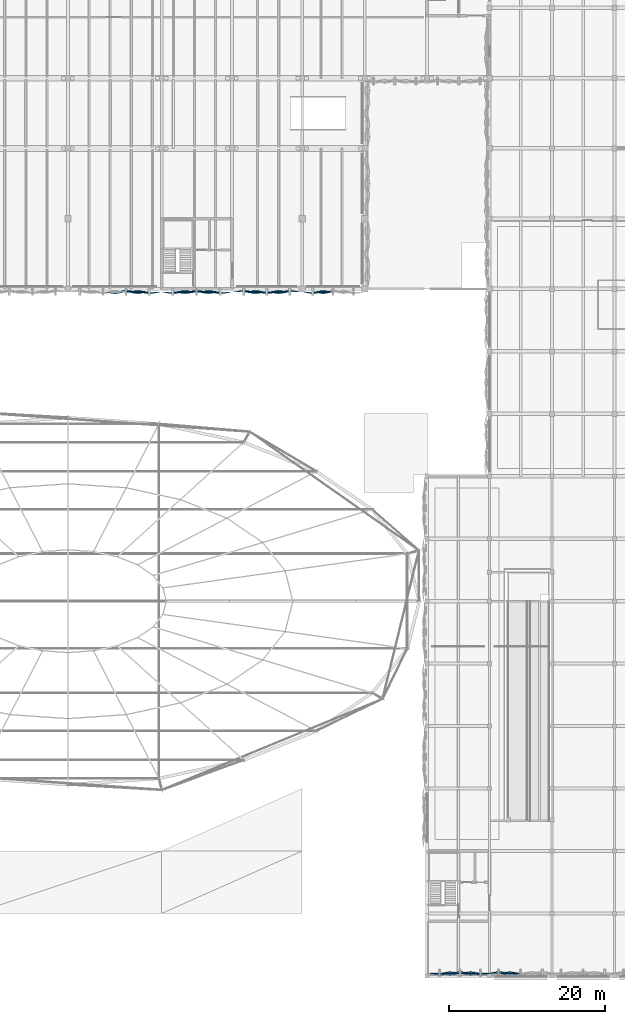
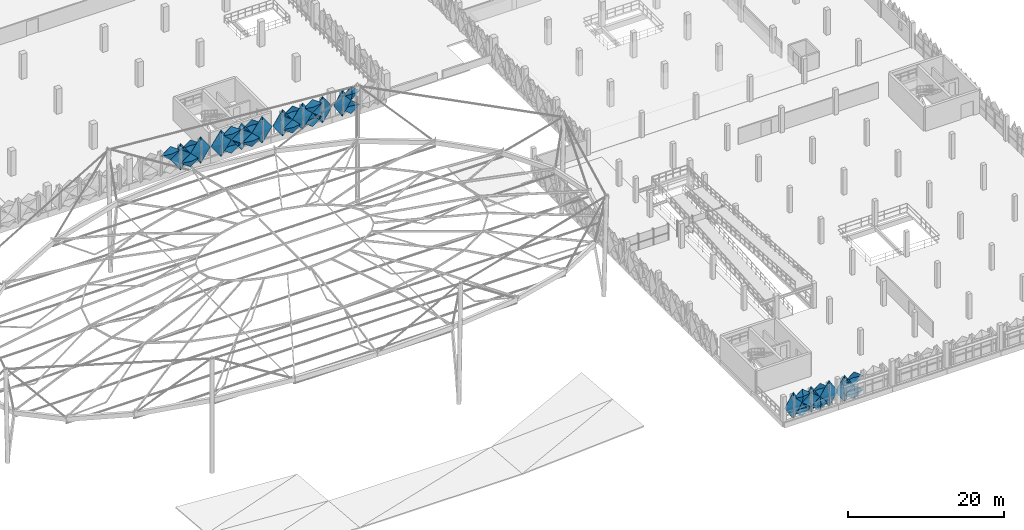
# One storey, part 68 of 96: 32 plates.
"""IFC4 building model written with IfcOpenShell, lengths in metres."""

from ifc_helpers import new_model, si_unit, derived_unit, direction, frame, origin, place, context, subcontext, project, spatial, polygons, material, layer, layer_set, type_object, element, save


model = new_model("IFC4")

# Units and contexts
model_context = context("Model", 3, precision=1e-05, world=origin(), true_north=direction((0.0, 1.0)))
body_context = subcontext(model_context, "Body", "Model", "MODEL_VIEW")
ifc_project = project(units=[si_unit("LENGTHUNIT", "METRE"), si_unit("AREAUNIT", "SQUARE_METRE"), si_unit("VOLUMEUNIT", "CUBIC_METRE"), si_unit("PLANEANGLEUNIT", "RADIAN"), si_unit("MASSUNIT", "GRAM", prefix="KILO"), si_unit("THERMODYNAMICTEMPERATUREUNIT", "KELVIN"), derived_unit("THERMALTRANSMITTANCEUNIT", [(si_unit("POWERUNIT", "WATT"), 1), (si_unit("AREAUNIT", "SQUARE_METRE"), -1), (si_unit("THERMODYNAMICTEMPERATUREUNIT", "KELVIN"), -1)])], contexts=[model_context])

# Site, building, storey
site_placement = place(None, origin())
site = spatial("IfcSite", under=ifc_project, at=site_placement, CompositionType="ELEMENT")
building_placement = place(site_placement, origin())
building = spatial("IfcBuilding", under=site, at=building_placement, Name="Haiyu Intermodal Mobility Hub", CompositionType="ELEMENT")
storey_placement = place(building_placement, frame((0.0, 0.0, 9.5)))
storey = spatial("IfcBuildingStorey", under=building, at=storey_placement, Name="L02", CompositionType="ELEMENT", Elevation=9.5)

# Plates
ifc_material = material(Name="Anodised aluminium 6063-T6", Category="aluminium")
ifc_layer_1 = layer(ifc_material, 0.01806640625)
ifc_layer_set_1 = layer_set([ifc_layer_1], Name="Anodised aluminium 6063-T6")
plate_type_1 = type_object("IfcPlateType", Name="PLT-FC01", PredefinedType="USERDEFINED", material=ifc_layer_set_1)
plate_1_placement = place(storey_placement, origin())
element("IfcPlate", 1, at=plate_1_placement, inside=storey, type_object=plate_type_1, Name="PLT-PYR-1614", ObjectType="FACADE CASSETTE", PredefinedType="USERDEFINED", context=body_context, shape_type="Tessellation", body=[
    polygons([(160.883056640625, 16.320068359375, -0.510009765625), (162.179931640625, 16.320068359375, 1.60009765625), (160.883056640625, 16.320068359375, 3.7099609375), (159.5869140625, 16.320068359375, 1.60009765625), (160.883056640625, 16.0400390625, 1.60009765625), (160.883056640625, 16.342041015625, -0.510009765625), (162.179931640625, 16.342041015625, 1.60009765625), (160.883056640625, 16.342041015625, 3.7099609375), (159.5869140625, 16.342041015625, 1.60009765625), (160.883056640625, 16.06201171875, 1.60009765625)], [[[1, 2, 5]], [[2, 3, 5]], [[3, 4, 5]], [[4, 1, 5]], [[7, 6, 10]], [[8, 7, 10]], [[9, 8, 10]], [[6, 9, 10]], [[1, 6, 7, 2]], [[2, 7, 8, 3]], [[3, 8, 9, 4]], [[4, 9, 6, 1]]], closed=True),
])
plate_2_placement = place(storey_placement, origin())
element("IfcPlate", 2, at=plate_2_placement, inside=storey, type_object=plate_type_1, Name="PLT-PYR-2217", ObjectType="FACADE CASSETTE", PredefinedType="USERDEFINED", context=body_context, shape_type="Tessellation", body=[
    polygons([(127.532958984375, 103.60009765625, -0.510009765625), (129.030029296875, 103.60009765625, 1.60009765625), (127.532958984375, 103.60009765625, 3.7099609375), (126.037109375, 103.60009765625, 1.60009765625), (127.532958984375, 103.320068359375, 1.60009765625), (127.532958984375, 103.6220703125, -0.510009765625), (129.030029296875, 103.6220703125, 1.60009765625), (127.532958984375, 103.6220703125, 3.7099609375), (126.037109375, 103.6220703125, 1.60009765625), (127.532958984375, 103.342041015625, 1.60009765625)], [[[1, 2, 5]], [[2, 3, 5]], [[3, 4, 5]], [[4, 1, 5]], [[7, 6, 10]], [[8, 7, 10]], [[9, 8, 10]], [[6, 9, 10]], [[1, 6, 7, 2]], [[2, 7, 8, 3]], [[3, 8, 9, 4]], [[4, 9, 6, 1]]], closed=True),
])
ifc_layer_2 = layer(ifc_material, 0.02001953125)
ifc_layer_set_2 = layer_set([ifc_layer_2], Name="Anodised aluminium 6063-T6")
plate_type_2 = type_object("IfcPlateType", Name="PLT-FC02", PredefinedType="USERDEFINED", material=ifc_layer_set_2)
plate_3_placement = place(storey_placement, origin())
element("IfcPlate", 3, at=plate_3_placement, inside=storey, type_object=plate_type_2, Name="PLT-PYR-0911", ObjectType="FACADE CASSETTE", PredefinedType="USERDEFINED", context=body_context, shape_type="Tessellation", body=[
    polygons([(115.47998046875, 103.60009765625, -0.510009765625), (116.93994140625, 103.60009765625, 1.60009765625), (115.47998046875, 103.60009765625, 3.7099609375), (114.02001953125, 103.60009765625, 1.60009765625), (115.47998046875, 103.860107421875, 1.60009765625), (115.47998046875, 103.6220703125, -0.510009765625), (116.93994140625, 103.6220703125, 1.60009765625), (115.47998046875, 103.6220703125, 3.7099609375), (114.02001953125, 103.6220703125, 1.60009765625), (115.47998046875, 103.882080078125, 1.60009765625)], [[[1, 2, 5]], [[2, 3, 5]], [[3, 4, 5]], [[4, 1, 5]], [[7, 6, 10]], [[8, 7, 10]], [[9, 8, 10]], [[6, 9, 10]], [[1, 6, 7, 2]], [[2, 7, 8, 3]], [[3, 8, 9, 4]], [[4, 9, 6, 1]]], closed=True),
])
plate_4_placement = place(storey_placement, origin())
element("IfcPlate", 4, at=plate_4_placement, inside=storey, type_object=plate_type_2, Name="PLT-PYR-0958", ObjectType="FACADE CASSETTE", PredefinedType="USERDEFINED", context=body_context, shape_type="Tessellation", body=[
    polygons([(136.447021484375, 103.60009765625, -0.510009765625), (137.89990234375, 103.60009765625, 1.60009765625), (136.447021484375, 103.60009765625, 3.7099609375), (134.992919921875, 103.60009765625, 1.60009765625), (136.447021484375, 103.860107421875, 1.60009765625), (136.447021484375, 103.6220703125, -0.510009765625), (137.89990234375, 103.6220703125, 1.60009765625), (136.447021484375, 103.6220703125, 3.7099609375), (134.992919921875, 103.6220703125, 1.60009765625), (136.447021484375, 103.882080078125, 1.60009765625)], [[[1, 2, 5]], [[2, 3, 5]], [[3, 4, 5]], [[4, 1, 5]], [[7, 6, 10]], [[8, 7, 10]], [[9, 8, 10]], [[6, 9, 10]], [[1, 6, 7, 2]], [[2, 7, 8, 3]], [[3, 8, 9, 4]], [[4, 9, 6, 1]]], closed=True),
])
ifc_layer_3 = layer(ifc_material, 0.01806640625)
ifc_layer_set_3 = layer_set([ifc_layer_3], Name="Anodised aluminium 6063-T6")
plate_type_3 = type_object("IfcPlateType", Name="PLT-FC03", PredefinedType="USERDEFINED", material=ifc_layer_set_3)
plate_5_placement = place(storey_placement, origin())
element("IfcPlate", 5, at=plate_5_placement, inside=storey, type_object=plate_type_3, Name="PLT-PYR-0914", ObjectType="FACADE CASSETTE", PredefinedType="USERDEFINED", context=body_context, shape_type="Tessellation", body=[
    polygons([(118.43994140625, 103.60009765625, -0.510009765625), (119.89990234375, 103.60009765625, 1.60009765625), (118.43994140625, 103.60009765625, 3.7099609375), (116.97998046875, 103.60009765625, 1.60009765625), (118.43994140625, 103.320068359375, 1.60009765625), (118.43994140625, 103.6220703125, -0.510009765625), (119.89990234375, 103.6220703125, 1.60009765625), (118.43994140625, 103.6220703125, 3.7099609375), (116.97998046875, 103.6220703125, 1.60009765625), (118.43994140625, 103.342041015625, 1.60009765625)], [[[1, 2, 5]], [[2, 3, 5]], [[3, 4, 5]], [[4, 1, 5]], [[7, 6, 10]], [[8, 7, 10]], [[9, 8, 10]], [[6, 9, 10]], [[1, 6, 7, 2]], [[2, 7, 8, 3]], [[3, 8, 9, 4]], [[4, 9, 6, 1]]], closed=True),
])
ifc_layer_4 = layer(ifc_material, 0.01806640625)
ifc_layer_set_4 = layer_set([ifc_layer_4], Name="Anodised aluminium 6063-T6")
plate_type_4 = type_object("IfcPlateType", Name="PLT-FC05", PredefinedType="USERDEFINED", material=ifc_layer_set_4)
plate_6_placement = place(storey_placement, origin())
element("IfcPlate", 6, at=plate_6_placement, inside=storey, type_object=plate_type_4, Name="PLT-PYR-0912", ObjectType="FACADE CASSETTE", PredefinedType="USERDEFINED", context=body_context, shape_type="Tessellation", body=[
    polygons([(116.9599609375, 103.60009765625, -0.52001953125), (118.419921875, 103.60009765625, 0.530029296875), (116.9599609375, 103.60009765625, 1.580078125), (115.5, 103.60009765625, 0.530029296875), (116.9599609375, 103.340087890625, 0.530029296875), (116.9599609375, 103.6220703125, -0.52001953125), (118.419921875, 103.6220703125, 0.530029296875), (116.9599609375, 103.6220703125, 1.580078125), (115.5, 103.6220703125, 0.530029296875), (116.9599609375, 103.362060546875, 0.530029296875)], [[[1, 2, 5]], [[2, 3, 5]], [[3, 4, 5]], [[4, 1, 5]], [[7, 6, 10]], [[8, 7, 10]], [[9, 8, 10]], [[6, 9, 10]], [[1, 6, 7, 2]], [[2, 7, 8, 3]], [[3, 8, 9, 4]], [[4, 9, 6, 1]]], closed=True),
])
plate_7_placement = place(storey_placement, origin())
element("IfcPlate", 7, at=plate_7_placement, inside=storey, type_object=plate_type_4, Name="PLT-PYR-0953", ObjectType="FACADE CASSETTE", PredefinedType="USERDEFINED", context=body_context, shape_type="Tessellation", body=[
    polygons([(132.027099609375, 103.60009765625, -0.52001953125), (133.47998046875, 103.60009765625, 0.530029296875), (132.027099609375, 103.60009765625, 1.580078125), (130.572998046875, 103.60009765625, 0.530029296875), (132.027099609375, 103.340087890625, 0.530029296875), (132.027099609375, 103.6220703125, -0.52001953125), (133.47998046875, 103.6220703125, 0.530029296875), (132.027099609375, 103.6220703125, 1.580078125), (130.572998046875, 103.6220703125, 0.530029296875), (132.027099609375, 103.362060546875, 0.530029296875)], [[[1, 2, 5]], [[2, 3, 5]], [[3, 4, 5]], [[4, 1, 5]], [[7, 6, 10]], [[8, 7, 10]], [[9, 8, 10]], [[6, 9, 10]], [[1, 6, 7, 2]], [[2, 7, 8, 3]], [[3, 8, 9, 4]], [[4, 9, 6, 1]]], closed=True),
])
plate_8_placement = place(storey_placement, origin())
element("IfcPlate", 8, at=plate_8_placement, inside=storey, type_object=plate_type_4, Name="PLT-PYR-0987", ObjectType="FACADE CASSETTE", PredefinedType="USERDEFINED", context=body_context, shape_type="Tessellation", body=[
    polygons([(139.386962890625, 103.60009765625, -0.510009765625), (140.673095703125, 103.60009765625, 1.60009765625), (139.386962890625, 103.60009765625, 3.7099609375), (138.10009765625, 103.60009765625, 1.60009765625), (139.386962890625, 103.320068359375, 1.60009765625), (139.386962890625, 103.6220703125, -0.510009765625), (140.673095703125, 103.6220703125, 1.60009765625), (139.386962890625, 103.6220703125, 3.7099609375), (138.10009765625, 103.6220703125, 1.60009765625), (139.386962890625, 103.342041015625, 1.60009765625)], [[[1, 2, 5]], [[2, 3, 5]], [[3, 4, 5]], [[4, 1, 5]], [[7, 6, 10]], [[8, 7, 10]], [[9, 8, 10]], [[6, 9, 10]], [[1, 6, 7, 2]], [[2, 7, 8, 3]], [[3, 8, 9, 4]], [[4, 9, 6, 1]]], closed=True),
])
plate_9_placement = place(storey_placement, origin())
element("IfcPlate", 9, at=plate_9_placement, inside=storey, type_object=plate_type_4, Name="PLT-PYR-1608", ObjectType="FACADE CASSETTE", PredefinedType="USERDEFINED", context=body_context, shape_type="Tessellation", body=[
    polygons([(155.616943359375, 16.320068359375, -0.510009765625), (156.9130859375, 16.320068359375, 1.60009765625), (155.616943359375, 16.320068359375, 3.7099609375), (154.320068359375, 16.320068359375, 1.60009765625), (155.616943359375, 16.0400390625, 1.60009765625), (155.616943359375, 16.342041015625, -0.510009765625), (156.9130859375, 16.342041015625, 1.60009765625), (155.616943359375, 16.342041015625, 3.7099609375), (154.320068359375, 16.342041015625, 1.60009765625), (155.616943359375, 16.06201171875, 1.60009765625)], [[[1, 2, 5]], [[2, 3, 5]], [[3, 4, 5]], [[4, 1, 5]], [[7, 6, 10]], [[8, 7, 10]], [[9, 8, 10]], [[6, 9, 10]], [[1, 6, 7, 2]], [[2, 7, 8, 3]], [[3, 8, 9, 4]], [[4, 9, 6, 1]]], closed=True),
])
plate_10_placement = place(storey_placement, origin())
element("IfcPlate", 10, at=plate_10_placement, inside=storey, type_object=plate_type_4, Name="PLT-PYR-1612", ObjectType="FACADE CASSETTE", PredefinedType="USERDEFINED", context=body_context, shape_type="Tessellation", body=[
    polygons([(159.56689453125, 16.320068359375, -0.52001953125), (160.863037109375, 16.320068359375, 0.530029296875), (159.56689453125, 16.320068359375, 1.580078125), (158.27001953125, 16.320068359375, 0.530029296875), (159.56689453125, 16.06005859375, 0.530029296875), (159.56689453125, 16.342041015625, -0.52001953125), (160.863037109375, 16.342041015625, 0.530029296875), (159.56689453125, 16.342041015625, 1.580078125), (158.27001953125, 16.342041015625, 0.530029296875), (159.56689453125, 16.08203125, 0.530029296875)], [[[1, 2, 5]], [[2, 3, 5]], [[3, 4, 5]], [[4, 1, 5]], [[7, 6, 10]], [[8, 7, 10]], [[9, 8, 10]], [[6, 9, 10]], [[1, 6, 7, 2]], [[2, 7, 8, 3]], [[3, 8, 9, 4]], [[4, 9, 6, 1]]], closed=True),
])
plate_11_placement = place(storey_placement, origin())
element("IfcPlate", 11, at=plate_11_placement, inside=storey, type_object=plate_type_4, Name="PLT-PYR-1616", ObjectType="FACADE CASSETTE", PredefinedType="USERDEFINED", context=body_context, shape_type="Tessellation", body=[
    polygons([(164.60009765625, 16.320068359375, -0.52001953125), (165.97998046875, 16.320068359375, 0.530029296875), (164.60009765625, 16.320068359375, 1.580078125), (163.219970703125, 16.320068359375, 0.530029296875), (164.60009765625, 16.06005859375, 0.530029296875), (164.60009765625, 16.342041015625, -0.52001953125), (165.97998046875, 16.342041015625, 0.530029296875), (164.60009765625, 16.342041015625, 1.580078125), (163.219970703125, 16.342041015625, 0.530029296875), (164.60009765625, 16.08203125, 0.530029296875)], [[[1, 2, 5]], [[2, 3, 5]], [[3, 4, 5]], [[4, 1, 5]], [[7, 6, 10]], [[8, 7, 10]], [[9, 8, 10]], [[6, 9, 10]], [[1, 6, 7, 2]], [[2, 7, 8, 3]], [[3, 8, 9, 4]], [[4, 9, 6, 1]]], closed=True),
])
plate_12_placement = place(storey_placement, origin())
element("IfcPlate", 12, at=plate_12_placement, inside=storey, type_object=plate_type_4, Name="PLT-PYR-2211", ObjectType="FACADE CASSETTE", PredefinedType="USERDEFINED", context=body_context, shape_type="Tessellation", body=[
    polygons([(121.467041015625, 103.60009765625, -0.510009765625), (122.962890625, 103.60009765625, 1.60009765625), (121.467041015625, 103.60009765625, 3.7099609375), (119.969970703125, 103.60009765625, 1.60009765625), (121.467041015625, 103.320068359375, 1.60009765625), (121.467041015625, 103.6220703125, -0.510009765625), (122.962890625, 103.6220703125, 1.60009765625), (121.467041015625, 103.6220703125, 3.7099609375), (119.969970703125, 103.6220703125, 1.60009765625), (121.467041015625, 103.342041015625, 1.60009765625)], [[[1, 2, 5]], [[2, 3, 5]], [[3, 4, 5]], [[4, 1, 5]], [[7, 6, 10]], [[8, 7, 10]], [[9, 8, 10]], [[6, 9, 10]], [[1, 6, 7, 2]], [[2, 7, 8, 3]], [[3, 8, 9, 4]], [[4, 9, 6, 1]]], closed=True),
])
plate_13_placement = place(storey_placement, origin())
element("IfcPlate", 13, at=plate_13_placement, inside=storey, type_object=plate_type_4, Name="PLT-PYR-2215", ObjectType="FACADE CASSETTE", PredefinedType="USERDEFINED", context=body_context, shape_type="Tessellation", body=[
    polygons([(126.01708984375, 103.60009765625, -0.52001953125), (127.512939453125, 103.60009765625, 0.530029296875), (126.01708984375, 103.60009765625, 1.580078125), (124.52001953125, 103.60009765625, 0.530029296875), (126.01708984375, 103.340087890625, 0.530029296875), (126.01708984375, 103.6220703125, -0.52001953125), (127.512939453125, 103.6220703125, 0.530029296875), (126.01708984375, 103.6220703125, 1.580078125), (124.52001953125, 103.6220703125, 0.530029296875), (126.01708984375, 103.362060546875, 0.530029296875)], [[[1, 2, 5]], [[2, 3, 5]], [[3, 4, 5]], [[4, 1, 5]], [[7, 6, 10]], [[8, 7, 10]], [[9, 8, 10]], [[6, 9, 10]], [[1, 6, 7, 2]], [[2, 7, 8, 3]], [[3, 8, 9, 4]], [[4, 9, 6, 1]]], closed=True),
])
ifc_layer_5 = layer(ifc_material, 0.02001953125)
ifc_layer_set_5 = layer_set([ifc_layer_5], Name="Anodised aluminium 6063-T6")
plate_type_5 = type_object("IfcPlateType", Name="PLT-FC06", PredefinedType="USERDEFINED", material=ifc_layer_set_5)
plate_14_placement = place(storey_placement, origin())
element("IfcPlate", 14, at=plate_14_placement, inside=storey, type_object=plate_type_5, Name="PLT-PYR-0952", ObjectType="FACADE CASSETTE", PredefinedType="USERDEFINED", context=body_context, shape_type="Tessellation", body=[
    polygons([(130.552978515625, 103.60009765625, -0.510009765625), (132.007080078125, 103.60009765625, 1.60009765625), (130.552978515625, 103.60009765625, 3.7099609375), (129.10009765625, 103.60009765625, 1.60009765625), (130.552978515625, 103.860107421875, 1.60009765625), (130.552978515625, 103.6220703125, -0.510009765625), (132.007080078125, 103.6220703125, 1.60009765625), (130.552978515625, 103.6220703125, 3.7099609375), (129.10009765625, 103.6220703125, 1.60009765625), (130.552978515625, 103.882080078125, 1.60009765625)], [[[1, 2, 5]], [[2, 3, 5]], [[3, 4, 5]], [[4, 1, 5]], [[7, 6, 10]], [[8, 7, 10]], [[9, 8, 10]], [[6, 9, 10]], [[1, 6, 7, 2]], [[2, 7, 8, 3]], [[3, 8, 9, 4]], [[4, 9, 6, 1]]], closed=True),
])
plate_15_placement = place(storey_placement, origin())
element("IfcPlate", 15, at=plate_15_placement, inside=storey, type_object=plate_type_5, Name="PLT-PYR-0956", ObjectType="FACADE CASSETTE", PredefinedType="USERDEFINED", context=body_context, shape_type="Tessellation", body=[
    polygons([(134.972900390625, 103.60009765625, -0.52001953125), (136.427001953125, 103.60009765625, 0.530029296875), (134.972900390625, 103.60009765625, 1.580078125), (133.52001953125, 103.60009765625, 0.530029296875), (134.972900390625, 103.820068359375, 0.530029296875), (134.972900390625, 103.6220703125, -0.52001953125), (136.427001953125, 103.6220703125, 0.530029296875), (134.972900390625, 103.6220703125, 1.580078125), (133.52001953125, 103.6220703125, 0.530029296875), (134.972900390625, 103.842041015625, 0.530029296875)], [[[1, 2, 5]], [[2, 3, 5]], [[3, 4, 5]], [[4, 1, 5]], [[7, 6, 10]], [[8, 7, 10]], [[9, 8, 10]], [[6, 9, 10]], [[1, 6, 7, 2]], [[2, 7, 8, 3]], [[3, 8, 9, 4]], [[4, 9, 6, 1]]], closed=True),
])
plate_16_placement = place(storey_placement, origin())
element("IfcPlate", 16, at=plate_16_placement, inside=storey, type_object=plate_type_5, Name="PLT-PYR-0988", ObjectType="FACADE CASSETTE", PredefinedType="USERDEFINED", context=body_context, shape_type="Tessellation", body=[
    polygons([(140.693115234375, 103.60009765625, -0.52001953125), (141.97998046875, 103.60009765625, 0.530029296875), (140.693115234375, 103.60009765625, 1.580078125), (139.406982421875, 103.60009765625, 0.530029296875), (140.693115234375, 103.820068359375, 0.530029296875), (140.693115234375, 103.6220703125, -0.52001953125), (141.97998046875, 103.6220703125, 0.530029296875), (140.693115234375, 103.6220703125, 1.580078125), (139.406982421875, 103.6220703125, 0.530029296875), (140.693115234375, 103.842041015625, 0.530029296875)], [[[1, 2, 5]], [[2, 3, 5]], [[3, 4, 5]], [[4, 1, 5]], [[7, 6, 10]], [[8, 7, 10]], [[9, 8, 10]], [[6, 9, 10]], [[1, 6, 7, 2]], [[2, 7, 8, 3]], [[3, 8, 9, 4]], [[4, 9, 6, 1]]], closed=True),
])
plate_17_placement = place(storey_placement, origin())
element("IfcPlate", 17, at=plate_17_placement, inside=storey, type_object=plate_type_5, Name="PLT-PYR-1609", ObjectType="FACADE CASSETTE", PredefinedType="USERDEFINED", context=body_context, shape_type="Tessellation", body=[
    polygons([(156.93310546875, 16.320068359375, -0.52001953125), (158.22998046875, 16.320068359375, 0.530029296875), (156.93310546875, 16.320068359375, 1.580078125), (155.636962890625, 16.320068359375, 0.530029296875), (156.93310546875, 16.5400390625, 0.530029296875), (156.93310546875, 16.342041015625, -0.52001953125), (158.22998046875, 16.342041015625, 0.530029296875), (156.93310546875, 16.342041015625, 1.580078125), (155.636962890625, 16.342041015625, 0.530029296875), (156.93310546875, 16.56201171875, 0.530029296875)], [[[1, 2, 5]], [[2, 3, 5]], [[3, 4, 5]], [[4, 1, 5]], [[7, 6, 10]], [[8, 7, 10]], [[9, 8, 10]], [[6, 9, 10]], [[1, 6, 7, 2]], [[2, 7, 8, 3]], [[3, 8, 9, 4]], [[4, 9, 6, 1]]], closed=True),
])
plate_18_placement = place(storey_placement, origin())
element("IfcPlate", 18, at=plate_18_placement, inside=storey, type_object=plate_type_5, Name="PLT-PYR-1615", ObjectType="FACADE CASSETTE", PredefinedType="USERDEFINED", context=body_context, shape_type="Tessellation", body=[
    polygons([(163.199951171875, 16.320068359375, -0.510009765625), (164.580078125, 16.320068359375, 1.60009765625), (163.199951171875, 16.320068359375, 3.7099609375), (161.820068359375, 16.320068359375, 1.60009765625), (163.199951171875, 16.580078125, 1.60009765625), (163.199951171875, 16.342041015625, -0.510009765625), (164.580078125, 16.342041015625, 1.60009765625), (163.199951171875, 16.342041015625, 3.7099609375), (161.820068359375, 16.342041015625, 1.60009765625), (163.199951171875, 16.60205078125, 1.60009765625)], [[[1, 2, 5]], [[2, 3, 5]], [[3, 4, 5]], [[4, 1, 5]], [[7, 6, 10]], [[8, 7, 10]], [[9, 8, 10]], [[6, 9, 10]], [[1, 6, 7, 2]], [[2, 7, 8, 3]], [[3, 8, 9, 4]], [[4, 9, 6, 1]]], closed=True),
])
plate_19_placement = place(storey_placement, origin())
element("IfcPlate", 19, at=plate_19_placement, inside=storey, type_object=plate_type_5, Name="PLT-PYR-2212", ObjectType="FACADE CASSETTE", PredefinedType="USERDEFINED", context=body_context, shape_type="Tessellation", body=[
    polygons([(122.98291015625, 103.60009765625, -0.52001953125), (124.47998046875, 103.60009765625, 0.530029296875), (122.98291015625, 103.60009765625, 1.580078125), (121.487060546875, 103.60009765625, 0.530029296875), (122.98291015625, 103.820068359375, 0.530029296875), (122.98291015625, 103.6220703125, -0.52001953125), (124.47998046875, 103.6220703125, 0.530029296875), (122.98291015625, 103.6220703125, 1.580078125), (121.487060546875, 103.6220703125, 0.530029296875), (122.98291015625, 103.842041015625, 0.530029296875)], [[[1, 2, 5]], [[2, 3, 5]], [[3, 4, 5]], [[4, 1, 5]], [[7, 6, 10]], [[8, 7, 10]], [[9, 8, 10]], [[6, 9, 10]], [[1, 6, 7, 2]], [[2, 7, 8, 3]], [[3, 8, 9, 4]], [[4, 9, 6, 1]]], closed=True),
])
ifc_layer_6 = layer(ifc_material, 0.02197265625)
ifc_layer_set_6 = layer_set([ifc_layer_6], Name="Anodised aluminium 6063-T6")
plate_type_6 = type_object("IfcPlateType", Name="PLT-FC07", PredefinedType="USERDEFINED", material=ifc_layer_set_6)
plate_20_placement = place(storey_placement, origin())
element("IfcPlate", 20, at=plate_20_placement, inside=storey, type_object=plate_type_6, Name="PLT-PYR-0910", ObjectType="FACADE CASSETTE", PredefinedType="USERDEFINED", context=body_context, shape_type="Tessellation", body=[
    polygons([(114.0, 103.60009765625, 1.6201171875), (115.4599609375, 103.60009765625, 2.669921875), (114.0, 103.60009765625, 3.719970703125), (112.5400390625, 103.60009765625, 2.669921875), (114.0, 103.340087890625, 2.669921875), (114.0, 103.6220703125, 1.6201171875), (115.4599609375, 103.6220703125, 2.669921875), (114.0, 103.6220703125, 3.719970703125), (112.5400390625, 103.6220703125, 2.669921875), (114.0, 103.362060546875, 2.669921875)], [[[1, 2, 5]], [[2, 3, 5]], [[3, 4, 5]], [[4, 1, 5]], [[7, 6, 10]], [[8, 7, 10]], [[9, 8, 10]], [[6, 9, 10]], [[1, 6, 7, 2]], [[2, 7, 8, 3]], [[3, 8, 9, 4]], [[4, 9, 6, 1]]], closed=True),
])
plate_21_placement = place(storey_placement, origin())
element("IfcPlate", 21, at=plate_21_placement, inside=storey, type_object=plate_type_6, Name="PLT-PYR-0955", ObjectType="FACADE CASSETTE", PredefinedType="USERDEFINED", context=body_context, shape_type="Tessellation", body=[
    polygons([(133.5, 103.60009765625, -0.510009765625), (134.952880859375, 103.60009765625, 1.60009765625), (133.5, 103.60009765625, 3.7099609375), (132.047119140625, 103.60009765625, 1.60009765625), (133.5, 103.320068359375, 1.60009765625), (133.5, 103.6220703125, -0.510009765625), (134.952880859375, 103.6220703125, 1.60009765625), (133.5, 103.6220703125, 3.7099609375), (132.047119140625, 103.6220703125, 1.60009765625), (133.5, 103.342041015625, 1.60009765625)], [[[1, 2, 5]], [[2, 3, 5]], [[3, 4, 5]], [[4, 1, 5]], [[7, 6, 10]], [[8, 7, 10]], [[9, 8, 10]], [[6, 9, 10]], [[1, 6, 7, 2]], [[2, 7, 8, 3]], [[3, 8, 9, 4]], [[4, 9, 6, 1]]], closed=True),
])
plate_22_placement = place(storey_placement, origin())
element("IfcPlate", 22, at=plate_22_placement, inside=storey, type_object=plate_type_6, Name="PLT-PYR-0957", ObjectType="FACADE CASSETTE", PredefinedType="USERDEFINED", context=body_context, shape_type="Tessellation", body=[
    polygons([(134.972900390625, 103.60009765625, 1.6201171875), (136.427001953125, 103.60009765625, 2.669921875), (134.972900390625, 103.60009765625, 3.719970703125), (133.52001953125, 103.60009765625, 2.669921875), (134.972900390625, 103.340087890625, 2.669921875), (134.972900390625, 103.6220703125, 1.6201171875), (136.427001953125, 103.6220703125, 2.669921875), (134.972900390625, 103.6220703125, 3.719970703125), (133.52001953125, 103.6220703125, 2.669921875), (134.972900390625, 103.362060546875, 2.669921875)], [[[1, 2, 5]], [[2, 3, 5]], [[3, 4, 5]], [[4, 1, 5]], [[7, 6, 10]], [[8, 7, 10]], [[9, 8, 10]], [[6, 9, 10]], [[1, 6, 7, 2]], [[2, 7, 8, 3]], [[3, 8, 9, 4]], [[4, 9, 6, 1]]], closed=True),
])
plate_23_placement = place(storey_placement, origin())
element("IfcPlate", 23, at=plate_23_placement, inside=storey, type_object=plate_type_6, Name="PLT-PYR-0989", ObjectType="FACADE CASSETTE", PredefinedType="USERDEFINED", context=body_context, shape_type="Tessellation", body=[
    polygons([(140.693115234375, 103.60009765625, 1.6201171875), (141.97998046875, 103.60009765625, 2.669921875), (140.693115234375, 103.60009765625, 3.719970703125), (139.406982421875, 103.60009765625, 2.669921875), (140.693115234375, 103.340087890625, 2.669921875), (140.693115234375, 103.6220703125, 1.6201171875), (141.97998046875, 103.6220703125, 2.669921875), (140.693115234375, 103.6220703125, 3.719970703125), (139.406982421875, 103.6220703125, 2.669921875), (140.693115234375, 103.362060546875, 2.669921875)], [[[1, 2, 5]], [[2, 3, 5]], [[3, 4, 5]], [[4, 1, 5]], [[7, 6, 10]], [[8, 7, 10]], [[9, 8, 10]], [[6, 9, 10]], [[1, 6, 7, 2]], [[2, 7, 8, 3]], [[3, 8, 9, 4]], [[4, 9, 6, 1]]], closed=True),
])
plate_24_placement = place(storey_placement, origin())
element("IfcPlate", 24, at=plate_24_placement, inside=storey, type_object=plate_type_6, Name="PLT-PYR-1610", ObjectType="FACADE CASSETTE", PredefinedType="USERDEFINED", context=body_context, shape_type="Tessellation", body=[
    polygons([(156.93310546875, 16.320068359375, 1.6201171875), (158.22998046875, 16.320068359375, 2.669921875), (156.93310546875, 16.320068359375, 3.719970703125), (155.636962890625, 16.320068359375, 2.669921875), (156.93310546875, 16.06005859375, 2.669921875), (156.93310546875, 16.342041015625, 1.6201171875), (158.22998046875, 16.342041015625, 2.669921875), (156.93310546875, 16.342041015625, 3.719970703125), (155.636962890625, 16.342041015625, 2.669921875), (156.93310546875, 16.08203125, 2.669921875)], [[[1, 2, 5]], [[2, 3, 5]], [[3, 4, 5]], [[4, 1, 5]], [[7, 6, 10]], [[8, 7, 10]], [[9, 8, 10]], [[6, 9, 10]], [[1, 6, 7, 2]], [[2, 7, 8, 3]], [[3, 8, 9, 4]], [[4, 9, 6, 1]]], closed=True),
])
plate_25_placement = place(storey_placement, origin())
element("IfcPlate", 25, at=plate_25_placement, inside=storey, type_object=plate_type_6, Name="PLT-PYR-2213", ObjectType="FACADE CASSETTE", PredefinedType="USERDEFINED", context=body_context, shape_type="Tessellation", body=[
    polygons([(122.98291015625, 103.60009765625, 1.6201171875), (124.47998046875, 103.60009765625, 2.669921875), (122.98291015625, 103.60009765625, 3.719970703125), (121.487060546875, 103.60009765625, 2.669921875), (122.98291015625, 103.340087890625, 2.669921875), (122.98291015625, 103.6220703125, 1.6201171875), (124.47998046875, 103.6220703125, 2.669921875), (122.98291015625, 103.6220703125, 3.719970703125), (121.487060546875, 103.6220703125, 2.669921875), (122.98291015625, 103.362060546875, 2.669921875)], [[[1, 2, 5]], [[2, 3, 5]], [[3, 4, 5]], [[4, 1, 5]], [[7, 6, 10]], [[8, 7, 10]], [[9, 8, 10]], [[6, 9, 10]], [[1, 6, 7, 2]], [[2, 7, 8, 3]], [[3, 8, 9, 4]], [[4, 9, 6, 1]]], closed=True),
])
ifc_layer_7 = layer(ifc_material, 0.02392578125)
ifc_layer_set_7 = layer_set([ifc_layer_7], Name="Anodised aluminium 6063-T6")
plate_type_7 = type_object("IfcPlateType", Name="PLT-FC08", PredefinedType="USERDEFINED", material=ifc_layer_set_7)
plate_26_placement = place(storey_placement, origin())
element("IfcPlate", 26, at=plate_26_placement, inside=storey, type_object=plate_type_7, Name="PLT-PYR-0913", ObjectType="FACADE CASSETTE", PredefinedType="USERDEFINED", context=body_context, shape_type="Tessellation", body=[
    polygons([(116.9599609375, 103.60009765625, 1.6201171875), (118.419921875, 103.60009765625, 2.669921875), (116.9599609375, 103.60009765625, 3.719970703125), (115.5, 103.60009765625, 2.669921875), (116.9599609375, 103.820068359375, 2.669921875), (116.9599609375, 103.6220703125, 1.6201171875), (118.419921875, 103.6220703125, 2.669921875), (116.9599609375, 103.6220703125, 3.719970703125), (115.5, 103.6220703125, 2.669921875), (116.9599609375, 103.842041015625, 2.669921875)], [[[1, 2, 5]], [[2, 3, 5]], [[3, 4, 5]], [[4, 1, 5]], [[7, 6, 10]], [[8, 7, 10]], [[9, 8, 10]], [[6, 9, 10]], [[1, 6, 7, 2]], [[2, 7, 8, 3]], [[3, 8, 9, 4]], [[4, 9, 6, 1]]], closed=True),
])
plate_27_placement = place(storey_placement, origin())
element("IfcPlate", 27, at=plate_27_placement, inside=storey, type_object=plate_type_7, Name="PLT-PYR-0954", ObjectType="FACADE CASSETTE", PredefinedType="USERDEFINED", context=body_context, shape_type="Tessellation", body=[
    polygons([(132.027099609375, 103.60009765625, 1.6201171875), (133.47998046875, 103.60009765625, 2.669921875), (132.027099609375, 103.60009765625, 3.719970703125), (130.572998046875, 103.60009765625, 2.669921875), (132.027099609375, 103.820068359375, 2.669921875), (132.027099609375, 103.6220703125, 1.6201171875), (133.47998046875, 103.6220703125, 2.669921875), (132.027099609375, 103.6220703125, 3.719970703125), (130.572998046875, 103.6220703125, 2.669921875), (132.027099609375, 103.842041015625, 2.669921875)], [[[1, 2, 5]], [[2, 3, 5]], [[3, 4, 5]], [[4, 1, 5]], [[7, 6, 10]], [[8, 7, 10]], [[9, 8, 10]], [[6, 9, 10]], [[1, 6, 7, 2]], [[2, 7, 8, 3]], [[3, 8, 9, 4]], [[4, 9, 6, 1]]], closed=True),
])
plate_28_placement = place(storey_placement, origin())
element("IfcPlate", 28, at=plate_28_placement, inside=storey, type_object=plate_type_7, Name="PLT-PYR-1611", ObjectType="FACADE CASSETTE", PredefinedType="USERDEFINED", context=body_context, shape_type="Tessellation", body=[
    polygons([(158.25, 16.320068359375, -0.510009765625), (159.547119140625, 16.320068359375, 1.60009765625), (158.25, 16.320068359375, 3.7099609375), (156.952880859375, 16.320068359375, 1.60009765625), (158.25, 16.580078125, 1.60009765625), (158.25, 16.342041015625, -0.510009765625), (159.547119140625, 16.342041015625, 1.60009765625), (158.25, 16.342041015625, 3.7099609375), (156.952880859375, 16.342041015625, 1.60009765625), (158.25, 16.60205078125, 1.60009765625)], [[[1, 2, 5]], [[2, 3, 5]], [[3, 4, 5]], [[4, 1, 5]], [[7, 6, 10]], [[8, 7, 10]], [[9, 8, 10]], [[6, 9, 10]], [[1, 6, 7, 2]], [[2, 7, 8, 3]], [[3, 8, 9, 4]], [[4, 9, 6, 1]]], closed=True),
])
plate_29_placement = place(storey_placement, origin())
element("IfcPlate", 29, at=plate_29_placement, inside=storey, type_object=plate_type_7, Name="PLT-PYR-1613", ObjectType="FACADE CASSETTE", PredefinedType="USERDEFINED", context=body_context, shape_type="Tessellation", body=[
    polygons([(159.56689453125, 16.320068359375, 1.6201171875), (160.863037109375, 16.320068359375, 2.669921875), (159.56689453125, 16.320068359375, 3.719970703125), (158.27001953125, 16.320068359375, 2.669921875), (159.56689453125, 16.5400390625, 2.669921875), (159.56689453125, 16.342041015625, 1.6201171875), (160.863037109375, 16.342041015625, 2.669921875), (159.56689453125, 16.342041015625, 3.719970703125), (158.27001953125, 16.342041015625, 2.669921875), (159.56689453125, 16.56201171875, 2.669921875)], [[[1, 2, 5]], [[2, 3, 5]], [[3, 4, 5]], [[4, 1, 5]], [[7, 6, 10]], [[8, 7, 10]], [[9, 8, 10]], [[6, 9, 10]], [[1, 6, 7, 2]], [[2, 7, 8, 3]], [[3, 8, 9, 4]], [[4, 9, 6, 1]]], closed=True),
])
plate_30_placement = place(storey_placement, origin())
element("IfcPlate", 30, at=plate_30_placement, inside=storey, type_object=plate_type_7, Name="PLT-PYR-1617", ObjectType="FACADE CASSETTE", PredefinedType="USERDEFINED", context=body_context, shape_type="Tessellation", body=[
    polygons([(164.60009765625, 16.320068359375, 1.6201171875), (165.97998046875, 16.320068359375, 2.669921875), (164.60009765625, 16.320068359375, 3.719970703125), (163.219970703125, 16.320068359375, 2.669921875), (164.60009765625, 16.5400390625, 2.669921875), (164.60009765625, 16.342041015625, 1.6201171875), (165.97998046875, 16.342041015625, 2.669921875), (164.60009765625, 16.342041015625, 3.719970703125), (163.219970703125, 16.342041015625, 2.669921875), (164.60009765625, 16.56201171875, 2.669921875)], [[[1, 2, 5]], [[2, 3, 5]], [[3, 4, 5]], [[4, 1, 5]], [[7, 6, 10]], [[8, 7, 10]], [[9, 8, 10]], [[6, 9, 10]], [[1, 6, 7, 2]], [[2, 7, 8, 3]], [[3, 8, 9, 4]], [[4, 9, 6, 1]]], closed=True),
])
plate_31_placement = place(storey_placement, origin())
element("IfcPlate", 31, at=plate_31_placement, inside=storey, type_object=plate_type_7, Name="PLT-PYR-2214", ObjectType="FACADE CASSETTE", PredefinedType="USERDEFINED", context=body_context, shape_type="Tessellation", body=[
    polygons([(124.5, 103.60009765625, -0.510009765625), (125.9970703125, 103.60009765625, 1.60009765625), (124.5, 103.60009765625, 3.7099609375), (123.0029296875, 103.60009765625, 1.60009765625), (124.5, 103.860107421875, 1.60009765625), (124.5, 103.6220703125, -0.510009765625), (125.9970703125, 103.6220703125, 1.60009765625), (124.5, 103.6220703125, 3.7099609375), (123.0029296875, 103.6220703125, 1.60009765625), (124.5, 103.882080078125, 1.60009765625)], [[[1, 2, 5]], [[2, 3, 5]], [[3, 4, 5]], [[4, 1, 5]], [[7, 6, 10]], [[8, 7, 10]], [[9, 8, 10]], [[6, 9, 10]], [[1, 6, 7, 2]], [[2, 7, 8, 3]], [[3, 8, 9, 4]], [[4, 9, 6, 1]]], closed=True),
])
plate_32_placement = place(storey_placement, origin())
element("IfcPlate", 32, at=plate_32_placement, inside=storey, type_object=plate_type_7, Name="PLT-PYR-2216", ObjectType="FACADE CASSETTE", PredefinedType="USERDEFINED", context=body_context, shape_type="Tessellation", body=[
    polygons([(126.01708984375, 103.60009765625, 1.6201171875), (127.512939453125, 103.60009765625, 2.669921875), (126.01708984375, 103.60009765625, 3.719970703125), (124.52001953125, 103.60009765625, 2.669921875), (126.01708984375, 103.820068359375, 2.669921875), (126.01708984375, 103.6220703125, 1.6201171875), (127.512939453125, 103.6220703125, 2.669921875), (126.01708984375, 103.6220703125, 3.719970703125), (124.52001953125, 103.6220703125, 2.669921875), (126.01708984375, 103.842041015625, 2.669921875)], [[[1, 2, 5]], [[2, 3, 5]], [[3, 4, 5]], [[4, 1, 5]], [[7, 6, 10]], [[8, 7, 10]], [[9, 8, 10]], [[6, 9, 10]], [[1, 6, 7, 2]], [[2, 7, 8, 3]], [[3, 8, 9, 4]], [[4, 9, 6, 1]]], closed=True),
])

save(model, "model.ifc")
